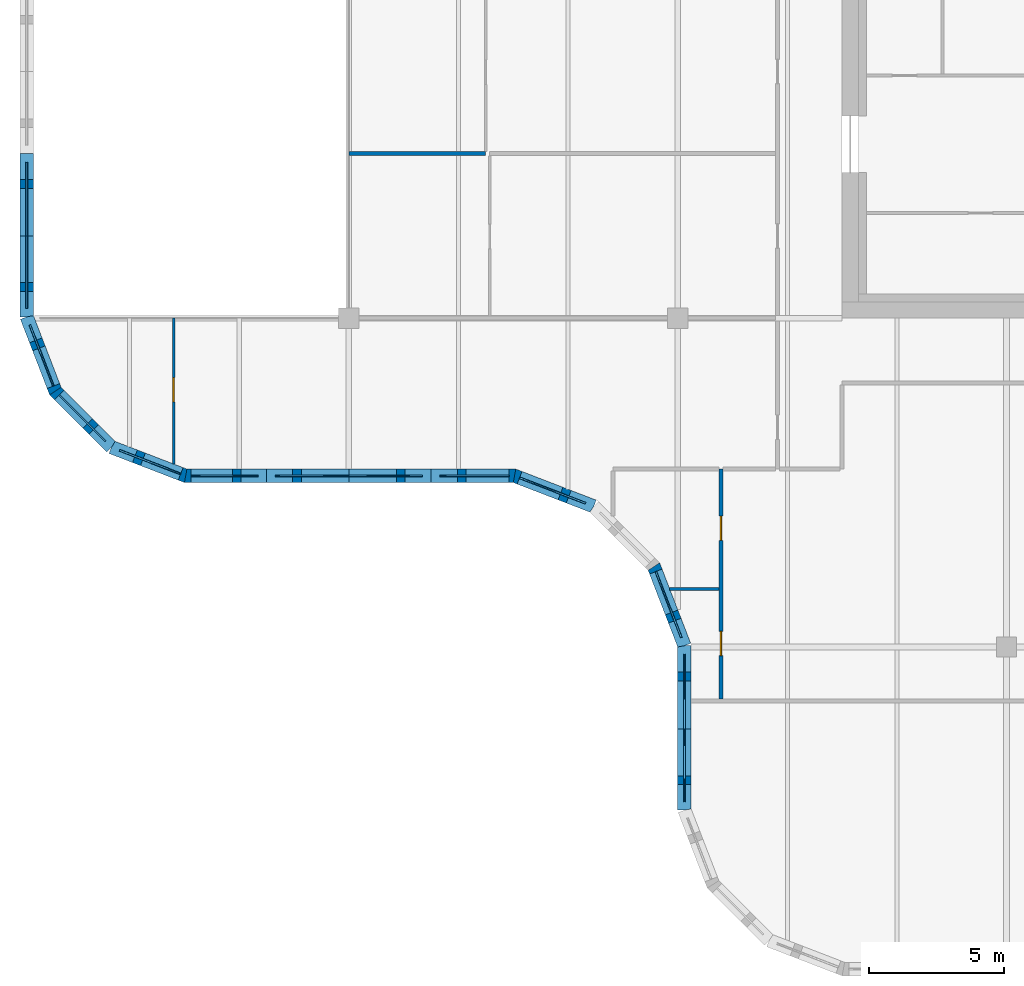
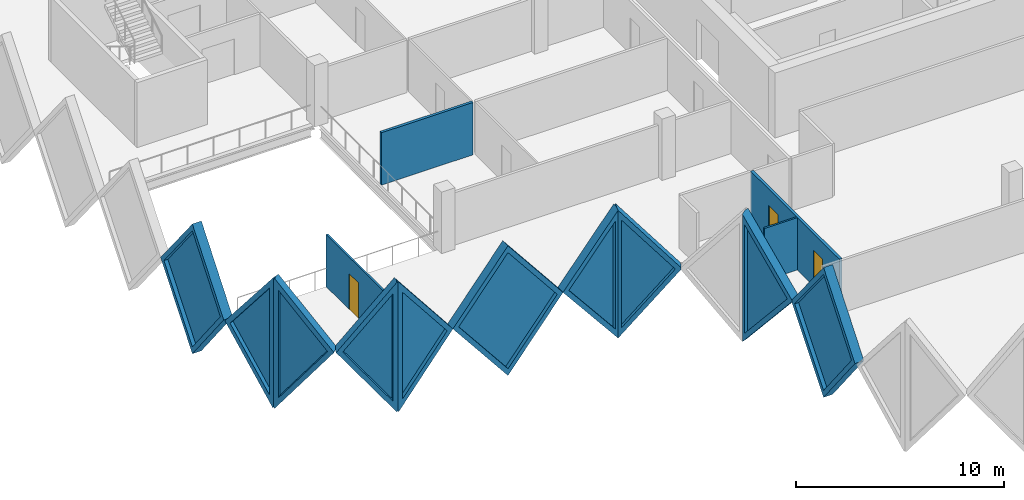
# One storey, part 3 of 12: 14 walls, 10 plates, 3 doors, 13 openings.
"""IFC4 building model written with IfcOpenShell, lengths in metres."""

from ifc_helpers import new_model, si_unit, direction, frame, frame_2d, origin, place, context, subcontext, project, spatial, polyline, rectangle, outline, extrude, faceted_brep, source, transform, mapped, material, layer, layer_set, type_object, element, fill, save


model = new_model("IFC4")

# Units and contexts
model_context = context("Model", 3, precision=1e-05, world=origin(), true_north=direction((0.0, 1.0)))
body_context = subcontext(model_context, "Body", "Model", "MODEL_VIEW")
ifc_project = project(units=[si_unit("LENGTHUNIT", "METRE"), si_unit("AREAUNIT", "SQUARE_METRE"), si_unit("VOLUMEUNIT", "CUBIC_METRE"), si_unit("PLANEANGLEUNIT", "RADIAN"), si_unit("MASSUNIT", "GRAM", prefix="KILO")], contexts=[model_context])

# Site, building, storey
site_placement = place(None, origin())
site = spatial("IfcSite", under=ifc_project, at=site_placement, CompositionType="ELEMENT")
building_placement = place(site_placement, origin())
building = spatial("IfcBuilding", under=site, at=building_placement, Name="Tessera Gate Towers", CompositionType="ELEMENT")
storey_placement = place(building_placement, frame((0.0, 0.0, 185.800048828125)))
storey = spatial("IfcBuildingStorey", under=building, at=storey_placement, Name="L46", CompositionType="ELEMENT", Elevation=185.800048828125)

# Wall, opening, door
ifc_material_1 = material(Name="Glass", Category="glass")
ifc_layer_1 = layer(ifc_material_1, 0.10009765625)
ifc_layer_set_1 = layer_set([ifc_layer_1], Name="GLAZED PARTITION 100")
wall_type_1 = type_object("IfcWallType", Name="GLAZED PARTITION 100", PredefinedType="PARTITIONING", material=ifc_layer_set_1)
wall_1_placement = place(storey_placement, frame((5.699951171875, 18.990234375, 0.0), z_axis=(0.0, 0.0, 1.0), x_axis=(0.0, 1.0, 0.0)))
wall_1 = element("IfcWall", 1, at=wall_1_placement, inside=storey, type_object=wall_type_1, Name="T1-L46-PW-022", PredefinedType="PARTITIONING", context=body_context, shape_type="SweptSolid", body=[
    extrude(rectangle(XDim=5.40966796875, YDim=0.10009765625, at=frame_2d((2.704833984375, 0.0))), origin(), (0.0, 0.0, 1.0), 3.06689453125),
])
shared_shape_1 = source(origin(), body_context, "Body", "SweptSolid", [
    extrude(rectangle(XDim=0.89990234375, YDim=2.10009765625, at=frame_2d((0.449951171875, 1.050048828125))), frame((0.0, 0.06005859375, 0.0), z_axis=(0.0, -1.0, 0.0), x_axis=(1.0, 0.0, 0.0)), (0.0, 0.0, 1.0), 0.1201171875),
])
opening_1_placement = place(wall_1_placement, frame((2.300048828125, 0.0, 0.0)))
opening_1 = element("IfcOpeningElement", 2, at=opening_1_placement, cuts=wall_1, Name="Opening D690-A17-04", PredefinedType="OPENING", context=body_context, shape_type="MappedRepresentation", body=[
    mapped(shared_shape_1, transform((0.0, 0.0, 0.0), scale=1.0)),
])
ifc_material_2 = material(Name="Glass in aluminium frame", Category="aluminium")
door_type_1 = type_object("IfcDoorType", Name="GLAZED DOOR 900 NOT RATED", OperationType="NOTDEFINED", PredefinedType="DOOR", material=ifc_material_2)
shared_shape_2 = source(origin(), body_context, "Body", "SweptSolid", [
    extrude(rectangle(XDim=0.89990234375, YDim=2.10009765625, at=frame_2d((0.449951171875, 1.050048828125))), frame((0.0, 0.02490234375, 0.0), z_axis=(0.0, -1.0, 0.0), x_axis=(1.0, 0.0, 0.0)), (0.0, 0.0, 1.0), 0.050048828125),
])
door_1_placement = place(opening_1_placement, origin())
door_1 = element("IfcDoor", 3, at=door_1_placement, inside=storey, type_object=door_type_1, Name="T1-L46-PD-010", OperationType="SINGLE_SWING_LEFT", OverallHeight=2.10009765625, OverallWidth=0.89990234375, PredefinedType="DOOR", context=body_context, shape_type="MappedRepresentation", body=[
    mapped(shared_shape_2, transform((0.0, 0.0, 0.0), scale=1.0)),
])
fill(opening_1, door_1)

# Wall
ifc_material_3 = material(Name="Gypsum board on steel studs", Category="steel")
ifc_layer_2 = layer(ifc_material_3, 0.10009765625)
ifc_layer_set_2 = layer_set([ifc_layer_2], Name="PARTITION 100")
wall_type_2 = type_object("IfcWallType", Name="PARTITION 100", PredefinedType="PARTITIONING", material=ifc_layer_set_2)
wall_2_placement = place(storey_placement, frame((24.104736328125, 14.35498046875, 0.0), z_axis=(0.0, 0.0, 1.0), x_axis=(1.0, 0.0, 0.0)))
element("IfcWall", 4, at=wall_2_placement, inside=storey, type_object=wall_type_2, Name="T1-L46-PW-011", PredefinedType="PARTITIONING", context=body_context, shape_type="SweptSolid", body=[
    extrude(rectangle(XDim=1.8193359375, YDim=0.10009765625, at=frame_2d((0.90966796875, 0.0))), origin(), (0.0, 0.0, 1.0), 3.06689453125),
])

# Wall, openings, doors
ifc_material_4 = material(Name="Gypsum board on steel studs, mineral wool", Category="steel")
ifc_layer_3 = layer(ifc_material_4, 0.14990234375)
ifc_layer_set_3 = layer_set([ifc_layer_3], Name="TENANCY WALL 150")
wall_type_3 = type_object("IfcWallType", Name="TENANCY WALL 150", PredefinedType="PARTITIONING", material=ifc_layer_set_3)
wall_3_placement = place(storey_placement, frame((26.0, 10.27587890625, 0.0), z_axis=(0.0, 0.0, 1.0), x_axis=(0.0, 1.0, 0.0)))
wall_3 = element("IfcWall", 5, at=wall_3_placement, inside=storey, type_object=wall_type_3, Name="T1-L46-PW-007", PredefinedType="PARTITIONING", context=body_context, shape_type="SweptSolid", body=[
    extrude(rectangle(XDim=8.524169921875, YDim=0.14990234375, at=frame_2d((4.26220703125, 0.0))), origin(), (0.0, 0.0, 1.0), 3.06689453125),
])
shared_shape_3 = source(origin(), body_context, "Body", "SweptSolid", [
    extrude(rectangle(XDim=0.89990234375, YDim=2.10009765625, at=frame_2d((0.449951171875, 1.050048828125))), frame((0.0, 0.0849609375, 0.0), z_axis=(0.0, -1.0, 0.0), x_axis=(1.0, 0.0, 0.0)), (0.0, 0.0, 1.0), 0.169921875),
])
opening_2_placement = place(wall_3_placement, frame((1.60009765625, 0.0, 0.0)))
opening_2 = element("IfcOpeningElement", 6, at=opening_2_placement, cuts=wall_3, Name="Opening D190-A17-01", PredefinedType="OPENING", context=body_context, shape_type="MappedRepresentation", body=[
    mapped(shared_shape_3, transform((0.0, 0.0, 0.0), scale=1.0)),
])
opening_3_placement = place(wall_3_placement, frame((5.878662109375, 0.0, 0.0)))
opening_3 = element("IfcOpeningElement", 7, at=opening_3_placement, cuts=wall_3, Name="Opening D190-A17-02", PredefinedType="OPENING", context=body_context, shape_type="MappedRepresentation", body=[
    mapped(shared_shape_3, transform((0.0, 0.0, 0.0), scale=1.0)),
])
ifc_material_5 = material(Name="Timber door leaf in steel frame", Category="steel")
door_type_2 = type_object("IfcDoorType", Name="INTERNAL DOOR 900 NOT RATED", OperationType="NOTDEFINED", PredefinedType="DOOR", material=ifc_material_5)
door_2_placement = place(opening_2_placement, origin())
door_2 = element("IfcDoor", 8, at=door_2_placement, inside=storey, type_object=door_type_2, Name="T1-L46-PD-002", OperationType="SINGLE_SWING_LEFT", OverallHeight=2.10009765625, OverallWidth=0.89990234375, PredefinedType="DOOR", context=body_context, shape_type="MappedRepresentation", body=[
    mapped(shared_shape_2, transform((0.0, 0.0, 0.0), scale=1.0)),
])
fill(opening_2, door_2)
door_3_placement = place(opening_3_placement, origin())
door_3 = element("IfcDoor", 9, at=door_3_placement, inside=storey, type_object=door_type_2, Name="T1-L46-PD-004", OperationType="SINGLE_SWING_LEFT", OverallHeight=2.10009765625, OverallWidth=0.89990234375, PredefinedType="DOOR", context=body_context, shape_type="MappedRepresentation", body=[
    mapped(shared_shape_2, transform((0.0, 0.0, 0.0), scale=1.0)),
])
fill(opening_3, door_3)

# Wall
wall_4_placement = place(storey_placement, frame((12.199951171875, 30.5, 0.0), z_axis=(0.0, 0.0, 1.0), x_axis=(1.0, 0.0, 0.0)))
element("IfcWall", 10, at=wall_4_placement, inside=storey, type_object=wall_type_3, Name="T1-L46-PW-031", PredefinedType="PARTITIONING", context=body_context, shape_type="SweptSolid", body=[
    extrude(rectangle(XDim=5.074951171875, YDim=0.14990234375, at=frame_2d((2.53759765625, 0.0))), origin(), (0.0, 0.0, 1.0), 3.06689453125),
])

# Wall, opening, plate
ifc_material_6 = material(Name="Precast concrete C60/75 white", Category="concrete")
ifc_layer_4 = layer(ifc_material_6, 0.5)
ifc_layer_set_4 = layer_set([ifc_layer_4], Name="TS1 tessera")
wall_type_4 = type_object("IfcWallType", Name="TS1 tessera", PredefinedType="SOLIDWALL", material=ifc_layer_set_4)
shared_shape_4 = source(origin(), body_context, "Body", "SweptSolid", [
    extrude(outline(polyline([(3.050048828125, 0.0), (6.10009765625, 3.800048828125), (3.050048828125, 7.60009765625), (0.0, 3.800048828125), (3.050048828125, 0.0)])), frame((0.0, 0.25, 0.0), z_axis=(0.0, -1.0, 0.0), x_axis=(1.0, 0.0, 0.0)), (0.0, 0.0, 1.0), 0.5),
])
wall_5_placement = place(storey_placement, frame((9.14990234375, 18.550048828125, -3.800048828125), z_axis=(0.0, 0.0, 1.0), x_axis=(1.0, 0.0, 0.0)))
wall_5 = element("IfcWall", 11, at=wall_5_placement, inside=storey, type_object=wall_type_4, Name="Precast tessera T1 TS1-0826", PredefinedType="SOLIDWALL", context=body_context, shape_type="MappedRepresentation", body=[
    mapped(shared_shape_4, transform((0.0, 0.0, 0.0), scale=1.0)),
])
shared_shape_5 = source(origin(), body_context, "Body", "SweptSolid", [
    extrude(outline(polyline([(3.050048828125, 0.3994140625), (5.779541015625, 3.800048828125), (3.050048828125, 7.20068359375), (0.320556640625, 3.800048828125), (3.050048828125, 0.3994140625)])), frame((0.0, 0.260009765625, 0.0), z_axis=(0.0, -1.0, 0.0), x_axis=(1.0, 0.0, 0.0)), (0.0, 0.0, 1.0), 0.52001953125),
])
opening_4_placement = place(wall_5_placement, origin())
opening_4 = element("IfcOpeningElement", 12, at=opening_4_placement, cuts=wall_5, Name="Opening T1-PL2-1684", PredefinedType="OPENING", context=body_context, shape_type="MappedRepresentation", body=[
    mapped(shared_shape_5, transform((0.0, 0.0, 0.0), scale=1.0)),
])
ifc_material_7 = material(Name="Low-e laminated glass", Category="glass")
ifc_layer_5 = layer(ifc_material_7, 0.06005859375)
ifc_layer_set_5 = layer_set([ifc_layer_5], Name="PL2 rhombic pane")
plate_type = type_object("IfcPlateType", Name="PL2 rhombic pane", PredefinedType="SHEET", material=ifc_layer_set_5)
shared_shape_6 = source(origin(), body_context, "Body", "SweptSolid", [
    extrude(outline(polyline([(3.050048828125, 0.3994140625), (5.779541015625, 3.800048828125), (3.050048828125, 7.20068359375), (0.320556640625, 3.800048828125), (3.050048828125, 0.3994140625)])), frame((0.0, 0.030029296875, 0.0), z_axis=(0.0, -1.0, 0.0), x_axis=(1.0, 0.0, 0.0)), (0.0, 0.0, 1.0), 0.06005859375),
])
plate_1_placement = place(opening_4_placement, origin())
plate_1 = element("IfcPlate", 13, at=plate_1_placement, inside=storey, type_object=plate_type, Name="Glass pane T1 PL2-1684", PredefinedType="SHEET", context=body_context, shape_type="MappedRepresentation", body=[
    mapped(shared_shape_6, transform((0.0, 0.0, 0.0), scale=1.0)),
])
fill(opening_4, plate_1)

shared_shape_7 = source(origin(), body_context, "Body", "Brep", [
    faceted_brep([(3.050048828125, -0.25, 0.0), (6.053466796875, -0.25, 3.800048828125), (3.050048828125, -0.25, 7.60009765625), (0.0, -0.25, 3.800048828125), (0.0, 0.25, 3.800048828125), (3.050048828125, 0.25, 7.60009765625), (6.0068359375, 0.25, 3.85888671875), (6.0068359375, 0.25, 3.7412109375), (3.050048828125, 0.25, 0.0), (6.053466796875, 0.0, 3.800048828125)], [[[0, 1, 2, 3]], [[4, 5, 6, 7, 8]], [[8, 7, 9, 1, 0]], [[6, 5, 2, 1, 9]], [[5, 4, 3, 2]], [[4, 8, 0, 3]], [[9, 7, 6]]]),
])
wall_6_placement = place(storey_placement, frame((0.25, 30.5, -3.800048828125), z_axis=(0.0, 0.0, 1.0), x_axis=(0.0, -1.0, 0.0)))
wall_6 = element("IfcWall", 14, at=wall_6_placement, inside=storey, type_object=wall_type_4, Name="Precast tessera T1 TS1-0825", PredefinedType="SOLIDWALL", context=body_context, shape_type="MappedRepresentation", body=[
    mapped(shared_shape_7, transform((0.0, 0.0, 0.0), scale=1.0)),
])
shared_shape_8 = source(origin(), body_context, "Body", "SweptSolid", [
    extrude(outline(polyline([(3.048583984375, 0.4013671875), (5.73486328125, 3.800048828125), (3.048583984375, 7.19873046875), (0.320556640625, 3.800048828125), (3.048583984375, 0.4013671875)])), frame((0.0, 0.260009765625, 0.0), z_axis=(0.0, -1.0, 0.0), x_axis=(1.0, 0.0, 0.0)), (0.0, 0.0, 1.0), 0.52001953125),
])
opening_5_placement = place(wall_6_placement, origin())
opening_5 = element("IfcOpeningElement", 15, at=opening_5_placement, cuts=wall_6, Name="Opening T1-PL2-1679", PredefinedType="OPENING", context=body_context, shape_type="MappedRepresentation", body=[
    mapped(shared_shape_8, transform((0.0, 0.0, 0.0), scale=1.0)),
])
shared_shape_9 = source(origin(), body_context, "Body", "SweptSolid", [
    extrude(outline(polyline([(3.048583984375, 0.4013671875), (5.73486328125, 3.800048828125), (3.048583984375, 7.19873046875), (0.320556640625, 3.800048828125), (3.048583984375, 0.4013671875)])), frame((0.0, 0.030029296875, 0.0), z_axis=(0.0, -1.0, 0.0), x_axis=(1.0, 0.0, 0.0)), (0.0, 0.0, 1.0), 0.06005859375),
])
plate_2_placement = place(opening_5_placement, origin())
plate_2 = element("IfcPlate", 16, at=plate_2_placement, inside=storey, type_object=plate_type, Name="Glass pane T1 PL2-1679", PredefinedType="SHEET", context=body_context, shape_type="MappedRepresentation", body=[
    mapped(shared_shape_9, transform((0.0, 0.0, 0.0), scale=1.0)),
])
fill(opening_5, plate_2)

ifc_material_8 = material(Name="Precast concrete C60/75 white", Category="concrete")
ifc_layer_6 = layer(ifc_material_8, 0.5)
ifc_layer_set_6 = layer_set([ifc_layer_6], Name="TS3 corner tessera")
wall_type_5 = type_object("IfcWallType", Name="TS3 corner tessera", PredefinedType="SOLIDWALL", material=ifc_layer_set_6)
shared_shape_10 = source(origin(), body_context, "Body", "Brep", [
    faceted_brep([(0.052978515625, -0.25, 0.0), (2.9970703125, -0.25, 3.800048828125), (0.052978515625, -0.25, 7.60009765625), (0.0, -0.25, 7.531982421875), (0.0, -0.25, 0.068115234375), (0.10595703125, 0.25, 7.53173828125), (2.944091796875, 0.25, 3.8681640625), (2.944091796875, 0.25, 3.73193359375), (0.10595703125, 0.25, 0.068359375), (2.9970703125, 0.000244140625, 3.800048828125), (0.052978515625, 0.0, 0.0), (0.052978515625, 0.0, 7.60009765625)], [[[0, 1, 2, 3, 4]], [[5, 6, 7, 8]], [[8, 7, 9, 1, 0, 10]], [[6, 5, 11, 2, 1, 9]], [[3, 2, 11]], [[10, 0, 4]], [[8, 10, 4, 3, 11, 5]], [[9, 7, 6]]]),
])
wall_7_placement = place(storey_placement, frame((1.2744140625, 21.731201171875, -3.800048828125), z_axis=(0.0, 0.0, 1.0), x_axis=(0.707147509625, -0.707066050402, 0.0)))
wall_7 = element("IfcWall", 17, at=wall_7_placement, inside=storey, type_object=wall_type_5, Name="Precast corner tessera T1 TS3-1072", PredefinedType="SOLIDWALL", context=body_context, shape_type="MappedRepresentation", body=[
    mapped(shared_shape_10, transform((0.0, 0.0, 0.0), scale=1.0)),
])
shared_shape_11 = source(origin(), body_context, "Body", "SweptSolid", [
    extrude(outline(polyline([(0.2529296875, 0.666259765625), (2.680908203125, 3.800048828125), (0.2529296875, 6.93359375), (0.2529296875, 0.666259765625)])), frame((0.0, 0.260009765625, 0.0), z_axis=(0.0, -1.0, 0.0), x_axis=(1.0, 0.0, 0.0)), (0.0, 0.0, 1.0), 0.52001953125),
])
opening_6_placement = place(wall_7_placement, origin())
opening_6 = element("IfcOpeningElement", 18, at=opening_6_placement, cuts=wall_7, Name="Opening T1-PL2-1681", PredefinedType="OPENING", context=body_context, shape_type="MappedRepresentation", body=[
    mapped(shared_shape_11, transform((0.0, 0.0, 0.0), scale=1.0)),
])
shared_shape_12 = source(origin(), body_context, "Body", "SweptSolid", [
    extrude(outline(polyline([(0.2529296875, 0.666259765625), (2.680908203125, 3.800048828125), (0.2529296875, 6.93359375), (0.2529296875, 0.666259765625)])), frame((0.0, 0.030029296875, 0.0), z_axis=(0.0, -1.0, 0.0), x_axis=(1.0, 0.0, 0.0)), (0.0, 0.0, 1.0), 0.06005859375),
])
plate_3_placement = place(opening_6_placement, origin())
plate_3 = element("IfcPlate", 19, at=plate_3_placement, inside=storey, type_object=plate_type, Name="Glass pane T1 PL2-1681", PredefinedType="SHEET", context=body_context, shape_type="MappedRepresentation", body=[
    mapped(shared_shape_12, transform((0.0, 0.0, 0.0), scale=1.0)),
])
fill(opening_6, plate_3)

shared_shape_13 = source(origin(), body_context, "Body", "Brep", [
    faceted_brep([(2.950439453125, -0.25, 0.0), (2.9970703125, -0.25, 0.05908203125), (2.9970703125, -0.25, 7.541015625), (2.950439453125, -0.25, 7.60009765625), (0.0, -0.25, 3.800048828125), (0.052978515625, 0.25, 3.8681640625), (2.904052734375, 0.25, 7.540283203125), (2.904052734375, 0.25, 0.059814453125), (0.052978515625, 0.25, 3.73193359375), (2.950439453125, 0.00048828125, 0.0), (2.950439453125, 0.00048828125, 7.60009765625), (0.0, 0.0, 3.800048828125)], [[[0, 1, 2, 3, 4]], [[5, 6, 7, 8]], [[1, 0, 9]], [[10, 3, 2]], [[6, 5, 11, 4, 3, 10]], [[8, 7, 9, 0, 4, 11]], [[8, 11, 5]], [[1, 9, 7, 6, 10, 2]]]),
])
wall_8_placement = place(storey_placement, frame((3.393798828125, 19.61181640625, -3.800048828125), z_axis=(0.0, 0.0, 1.0), x_axis=(0.932990326376, -0.359901446078, 0.0)))
wall_8 = element("IfcWall", 20, at=wall_8_placement, inside=storey, type_object=wall_type_5, Name="Precast corner tessera T1 TS3-1073", PredefinedType="SOLIDWALL", context=body_context, shape_type="MappedRepresentation", body=[
    mapped(shared_shape_13, transform((0.0, 0.0, 0.0), scale=1.0)),
])
shared_shape_14 = source(origin(), body_context, "Body", "SweptSolid", [
    extrude(outline(polyline([(2.75048828125, 6.934814453125), (0.31640625, 3.800048828125), (2.75048828125, 0.665283203125), (2.75048828125, 6.934814453125)])), frame((0.0, 0.260009765625, 0.0), z_axis=(0.0, -1.0, 0.0), x_axis=(1.0, 0.0, 0.0)), (0.0, 0.0, 1.0), 0.52001953125),
])
opening_7_placement = place(wall_8_placement, origin())
opening_7 = element("IfcOpeningElement", 21, at=opening_7_placement, cuts=wall_8, Name="Opening T1-PL2-1682", PredefinedType="OPENING", context=body_context, shape_type="MappedRepresentation", body=[
    mapped(shared_shape_14, transform((0.0, 0.0, 0.0), scale=1.0)),
])
shared_shape_15 = source(origin(), body_context, "Body", "SweptSolid", [
    extrude(outline(polyline([(2.75048828125, 6.934814453125), (0.31640625, 3.800048828125), (2.75048828125, 0.665283203125), (2.75048828125, 6.934814453125)])), frame((0.0, 0.030029296875, 0.0), z_axis=(0.0, -1.0, 0.0), x_axis=(1.0, 0.0, 0.0)), (0.0, 0.0, 1.0), 0.06005859375),
])
plate_4_placement = place(opening_7_placement, origin())
plate_4 = element("IfcPlate", 22, at=plate_4_placement, inside=storey, type_object=plate_type, Name="Glass pane T1 PL2-1682", PredefinedType="SHEET", context=body_context, shape_type="MappedRepresentation", body=[
    mapped(shared_shape_15, transform((0.0, 0.0, 0.0), scale=1.0)),
])
fill(opening_7, plate_4)

shared_shape_16 = source(origin(), body_context, "Body", "Brep", [
    faceted_brep([(0.046630859375, -0.25, 0.0), (3.050048828125, -0.25, 3.800048828125), (0.046630859375, -0.25, 7.60009765625), (0.0, -0.25, 7.5400390625), (0.0, -0.25, 0.06005859375), (0.09326171875, 0.25, 7.541259765625), (3.050048828125, 0.25, 3.800048828125), (0.09326171875, 0.25, 0.058837890625), (0.046630859375, 0.0, 0.0), (0.046630859375, 0.0, 7.60009765625)], [[[0, 1, 2, 3, 4]], [[5, 6, 7]], [[7, 6, 1, 0, 8]], [[6, 5, 9, 2, 1]], [[3, 2, 9]], [[8, 0, 4]], [[7, 8, 4, 3, 9, 5]]]),
])
wall_9_placement = place(storey_placement, frame((6.099853515625, 18.550048828125, -3.800048828125), z_axis=(0.0, 0.0, 1.0), x_axis=(1.0, 0.0, 0.0)))
wall_9 = element("IfcWall", 23, at=wall_9_placement, inside=storey, type_object=wall_type_5, Name="Precast corner tessera T1 TS3-1074", PredefinedType="SOLIDWALL", context=body_context, shape_type="MappedRepresentation", body=[
    mapped(shared_shape_16, transform((0.0, 0.0, 0.0), scale=1.0)),
])
shared_shape_17 = source(origin(), body_context, "Body", "SweptSolid", [
    extrude(outline(polyline([(0.24658203125, 0.65625), (2.7314453125, 3.800048828125), (0.24658203125, 6.94384765625), (0.24658203125, 0.65625)])), frame((0.0, 0.260009765625, 0.0), z_axis=(0.0, -1.0, 0.0), x_axis=(1.0, 0.0, 0.0)), (0.0, 0.0, 1.0), 0.52001953125),
])
opening_8_placement = place(wall_9_placement, origin())
opening_8 = element("IfcOpeningElement", 24, at=opening_8_placement, cuts=wall_9, Name="Opening T1-PL2-1683", PredefinedType="OPENING", context=body_context, shape_type="MappedRepresentation", body=[
    mapped(shared_shape_17, transform((0.0, 0.0, 0.0), scale=1.0)),
])
shared_shape_18 = source(origin(), body_context, "Body", "SweptSolid", [
    extrude(outline(polyline([(0.24658203125, 0.65625), (2.7314453125, 3.800048828125), (0.24658203125, 6.94384765625), (0.24658203125, 0.65625)])), frame((0.0, 0.030029296875, 0.0), z_axis=(0.0, -1.0, 0.0), x_axis=(1.0, 0.0, 0.0)), (0.0, 0.0, 1.0), 0.06005859375),
])
plate_5_placement = place(opening_8_placement, origin())
plate_5 = element("IfcPlate", 25, at=plate_5_placement, inside=storey, type_object=plate_type, Name="Glass pane T1 PL2-1683", PredefinedType="SHEET", context=body_context, shape_type="MappedRepresentation", body=[
    mapped(shared_shape_18, transform((0.0, 0.0, 0.0), scale=1.0)),
])
fill(opening_8, plate_5)

shared_shape_19 = source(origin(), body_context, "Body", "Brep", [
    faceted_brep([(2.950439453125, -0.25, 0.0), (3.00341796875, -0.25, 0.068359375), (3.00341796875, -0.25, 7.53173828125), (2.950439453125, -0.25, 7.60009765625), (0.0, -0.25, 3.800048828125), (0.046630859375, 0.25, 3.860107421875), (2.897705078125, 0.25, 7.531982421875), (2.897705078125, 0.25, 0.068115234375), (0.046630859375, 0.25, 3.739990234375), (2.950439453125, 0.00048828125, 0.0), (2.950439453125, 0.00048828125, 7.60009765625), (0.0, 0.0, 3.800048828125)], [[[0, 1, 2, 3, 4]], [[5, 6, 7, 8]], [[1, 0, 9]], [[10, 3, 2]], [[6, 5, 11, 4, 3, 10]], [[8, 7, 9, 0, 4, 11]], [[8, 11, 5]], [[1, 9, 7, 6, 10, 2]]]),
])
wall_10_placement = place(storey_placement, frame((0.25, 24.446533203125, -3.800048828125), z_axis=(0.0, 0.0, 1.0), x_axis=(0.35992665181, -0.932980602862, 0.0)))
wall_10 = element("IfcWall", 26, at=wall_10_placement, inside=storey, type_object=wall_type_5, Name="Precast corner tessera T1 TS3-1071", PredefinedType="SOLIDWALL", context=body_context, shape_type="MappedRepresentation", body=[
    mapped(shared_shape_19, transform((0.0, 0.0, 0.0), scale=1.0)),
])
opening_9_placement = place(wall_10_placement, origin())
opening_9 = element("IfcOpeningElement", 27, at=opening_9_placement, cuts=wall_10, Name="Opening T1-PL2-1680", PredefinedType="OPENING", context=body_context, shape_type="MappedRepresentation", body=[
    mapped(shared_shape_14, transform((0.0, 0.0, 0.0), scale=1.0)),
])
plate_6_placement = place(opening_9_placement, origin())
plate_6 = element("IfcPlate", 28, at=plate_6_placement, inside=storey, type_object=plate_type, Name="Glass pane T1 PL2-1680", PredefinedType="SHEET", context=body_context, shape_type="MappedRepresentation", body=[
    mapped(shared_shape_15, transform((0.0, 0.0, 0.0), scale=1.0)),
])
fill(opening_9, plate_6)

shared_shape_20 = source(origin(), body_context, "Body", "Brep", [
    faceted_brep([(3.050048828125, -0.25, 7.543212890625), (0.0, -0.25, 3.800048828125), (3.050048828125, -0.25, 0.056884765625), (0.0, 0.25, 3.800048828125), (3.096435546875, 0.25, 7.60009765625), (3.14306640625, 0.25, 7.543701171875), (3.14306640625, 0.25, 0.056396484375), (3.096435546875, 0.25, 0.0), (3.096435546875, -0.00048828125, 0.0), (3.096435546875, -0.00048828125, 7.60009765625)], [[[0, 1, 2]], [[3, 4, 5, 6, 7]], [[7, 6, 8]], [[5, 4, 9]], [[4, 3, 1, 0, 9]], [[3, 7, 8, 2, 1]], [[2, 8, 6, 5, 9, 0]]]),
])
wall_11_placement = place(storey_placement, frame((15.25, 18.550048828125, -3.800048828125), z_axis=(0.0, 0.0, 1.0), x_axis=(1.0, 0.0, 0.0)))
wall_11 = element("IfcWall", 29, at=wall_11_placement, inside=storey, type_object=wall_type_5, Name="Precast corner tessera T1 TS3-1075", PredefinedType="SOLIDWALL", context=body_context, shape_type="MappedRepresentation", body=[
    mapped(shared_shape_20, transform((0.0, 0.0, 0.0), scale=1.0)),
])
shared_shape_21 = source(origin(), body_context, "Body", "SweptSolid", [
    extrude(outline(polyline([(2.896484375, 6.958740234375), (0.322509765625, 3.800048828125), (2.896484375, 0.64111328125), (2.896484375, 6.958740234375)])), frame((0.0, 0.260009765625, 0.0), z_axis=(0.0, -1.0, 0.0), x_axis=(1.0, 0.0, 0.0)), (0.0, 0.0, 1.0), 0.52001953125),
])
opening_10_placement = place(wall_11_placement, origin())
opening_10 = element("IfcOpeningElement", 30, at=opening_10_placement, cuts=wall_11, Name="Opening T1-PL2-1685", PredefinedType="OPENING", context=body_context, shape_type="MappedRepresentation", body=[
    mapped(shared_shape_21, transform((0.0, 0.0, 0.0), scale=1.0)),
])
shared_shape_22 = source(origin(), body_context, "Body", "SweptSolid", [
    extrude(outline(polyline([(2.896484375, 6.958740234375), (0.322509765625, 3.800048828125), (2.896484375, 0.64111328125), (2.896484375, 6.958740234375)])), frame((0.0, 0.030029296875, 0.0), z_axis=(0.0, -1.0, 0.0), x_axis=(1.0, 0.0, 0.0)), (0.0, 0.0, 1.0), 0.06005859375),
])
plate_7_placement = place(opening_10_placement, origin())
plate_7 = element("IfcPlate", 31, at=plate_7_placement, inside=storey, type_object=plate_type, Name="Glass pane T1 PL2-1685", PredefinedType="SHEET", context=body_context, shape_type="MappedRepresentation", body=[
    mapped(shared_shape_22, transform((0.0, 0.0, 0.0), scale=1.0)),
])
fill(opening_10, plate_7)

shared_shape_23 = source(origin(), body_context, "Body", "Brep", [
    faceted_brep([(0.09326171875, -0.25, 0.05615234375), (3.14306640625, -0.25, 3.736328125), (3.14306640625, -0.25, 3.86376953125), (0.09326171875, -0.25, 7.5439453125), (0.0, 0.25, 7.54296875), (0.046630859375, 0.25, 7.60009765625), (3.196044921875, 0.25, 3.800048828125), (0.046630859375, 0.25, 0.0), (0.0, 0.25, 0.05712890625), (3.196044921875, -0.000244140625, 3.800048828125), (0.046630859375, 0.0, 0.0), (0.046630859375, 0.0, 7.60009765625)], [[[0, 1, 2, 3]], [[4, 5, 6, 7, 8]], [[7, 6, 9, 1, 0, 10]], [[6, 5, 11, 3, 2, 9]], [[5, 4, 11]], [[8, 7, 10]], [[8, 10, 0, 3, 11, 4]], [[1, 9, 2]]]),
])
wall_12_placement = place(storey_placement, frame((18.302978515625, 18.56689453125, -3.800048828125), z_axis=(0.0, 0.0, 1.0), x_axis=(0.932978940178, -0.359930961693, 0.0)))
wall_12 = element("IfcWall", 32, at=wall_12_placement, inside=storey, type_object=wall_type_5, Name="Precast corner tessera T1 TS3-1076", PredefinedType="SOLIDWALL", context=body_context, shape_type="MappedRepresentation", body=[
    mapped(shared_shape_23, transform((0.0, 0.0, 0.0), scale=1.0)),
])
shared_shape_24 = source(origin(), body_context, "Body", "SweptSolid", [
    extrude(outline(polyline([(0.24658203125, 0.633056640625), (2.871337890625, 3.800048828125), (0.24658203125, 6.966796875), (0.24658203125, 0.633056640625)])), frame((0.0, 0.260009765625, 0.0), z_axis=(0.0, -1.0, 0.0), x_axis=(1.0, 0.0, 0.0)), (0.0, 0.0, 1.0), 0.52001953125),
])
opening_11_placement = place(wall_12_placement, origin())
opening_11 = element("IfcOpeningElement", 33, at=opening_11_placement, cuts=wall_12, Name="Opening T1-PL2-1686", PredefinedType="OPENING", context=body_context, shape_type="MappedRepresentation", body=[
    mapped(shared_shape_24, transform((0.0, 0.0, 0.0), scale=1.0)),
])
shared_shape_25 = source(origin(), body_context, "Body", "SweptSolid", [
    extrude(outline(polyline([(0.24658203125, 0.633056640625), (2.871337890625, 3.800048828125), (0.24658203125, 6.966796875), (0.24658203125, 0.633056640625)])), frame((0.0, 0.030029296875, 0.0), z_axis=(0.0, -1.0, 0.0), x_axis=(1.0, 0.0, 0.0)), (0.0, 0.0, 1.0), 0.06005859375),
])
plate_8_placement = place(opening_11_placement, origin())
plate_8 = element("IfcPlate", 34, at=plate_8_placement, inside=storey, type_object=plate_type, Name="Glass pane T1 PL2-1686", PredefinedType="SHEET", context=body_context, shape_type="MappedRepresentation", body=[
    mapped(shared_shape_25, transform((0.0, 0.0, 0.0), scale=1.0)),
])
fill(opening_11, plate_8)

shared_shape_26 = source(origin(), body_context, "Body", "Brep", [
    faceted_brep([(0.10595703125, -0.25, 0.06396484375), (3.156005859375, -0.25, 3.743896484375), (3.156005859375, -0.25, 3.856201171875), (0.10595703125, -0.25, 7.5361328125), (0.0, 0.25, 7.536376953125), (0.052978515625, 0.25, 7.60009765625), (3.202392578125, 0.25, 3.800048828125), (0.052978515625, 0.25, 0.0), (0.0, 0.25, 0.063720703125), (3.202392578125, -0.000244140625, 3.800048828125), (0.052978515625, 0.0, 0.0), (0.052978515625, 0.0, 7.60009765625)], [[[0, 1, 2, 3]], [[4, 5, 6, 7, 8]], [[7, 6, 9, 1, 0, 10]], [[6, 5, 11, 3, 2, 9]], [[5, 4, 11]], [[8, 7, 10]], [[8, 10, 0, 3, 11, 4]], [[1, 9, 2]]]),
])
wall_13_placement = place(storey_placement, frame((23.497314453125, 15.234375, -3.800048828125), z_axis=(0.0, 0.0, 1.0), x_axis=(0.359913782069, -0.932985567668, 0.0)))
wall_13 = element("IfcWall", 35, at=wall_13_placement, inside=storey, type_object=wall_type_5, Name="Precast corner tessera T1 TS3-1078", PredefinedType="SOLIDWALL", context=body_context, shape_type="MappedRepresentation", body=[
    mapped(shared_shape_26, transform((0.0, 0.0, 0.0), scale=1.0)),
])
shared_shape_27 = source(origin(), body_context, "Body", "SweptSolid", [
    extrude(outline(polyline([(0.2529296875, 0.633056640625), (2.877685546875, 3.800048828125), (0.2529296875, 6.966796875), (0.2529296875, 0.633056640625)])), frame((0.0, 0.260009765625, 0.0), z_axis=(0.0, -1.0, 0.0), x_axis=(1.0, 0.0, 0.0)), (0.0, 0.0, 1.0), 0.52001953125),
])
opening_12_placement = place(wall_13_placement, origin())
opening_12 = element("IfcOpeningElement", 36, at=opening_12_placement, cuts=wall_13, Name="Opening T1-PL2-1688", PredefinedType="OPENING", context=body_context, shape_type="MappedRepresentation", body=[
    mapped(shared_shape_27, transform((0.0, 0.0, 0.0), scale=1.0)),
])
shared_shape_28 = source(origin(), body_context, "Body", "SweptSolid", [
    extrude(outline(polyline([(0.2529296875, 0.633056640625), (2.877685546875, 3.800048828125), (0.2529296875, 6.966796875), (0.2529296875, 0.633056640625)])), frame((0.0, 0.030029296875, 0.0), z_axis=(0.0, -1.0, 0.0), x_axis=(1.0, 0.0, 0.0)), (0.0, 0.0, 1.0), 0.06005859375),
])
plate_9_placement = place(opening_12_placement, origin())
plate_9 = element("IfcPlate", 37, at=plate_9_placement, inside=storey, type_object=plate_type, Name="Glass pane T1 PL2-1688", PredefinedType="SHEET", context=body_context, shape_type="MappedRepresentation", body=[
    mapped(shared_shape_28, transform((0.0, 0.0, 0.0), scale=1.0)),
])
fill(opening_12, plate_9)

shared_shape_29 = source(origin(), body_context, "Body", "Brep", [
    faceted_brep([(3.096435546875, -0.25, 0.0), (6.10009765625, -0.25, 3.800048828125), (3.096435546875, -0.25, 7.60009765625), (0.046630859375, -0.25, 3.857177734375), (0.046630859375, -0.25, 3.742919921875), (0.0, 0.25, 3.800048828125), (3.096435546875, 0.25, 7.60009765625), (6.053466796875, 0.25, 3.859130859375), (6.053466796875, 0.25, 3.740966796875), (3.096435546875, 0.25, 0.0), (6.10009765625, -0.00048828125, 3.800048828125), (0.0, 0.0, 3.800048828125)], [[[0, 1, 2, 3, 4]], [[5, 6, 7, 8, 9]], [[9, 8, 10, 1, 0]], [[7, 6, 2, 1, 10]], [[6, 5, 11, 3, 2]], [[5, 9, 0, 4, 11]], [[11, 4, 3]], [[10, 8, 7]]]),
])
wall_14_placement = place(storey_placement, frame((24.64990234375, 12.24658203125, -3.800048828125), z_axis=(0.0, 0.0, 1.0), x_axis=(0.0, -1.0, 0.0)))
wall_14 = element("IfcWall", 38, at=wall_14_placement, inside=storey, type_object=wall_type_4, Name="Precast tessera T1 TS1-0827", PredefinedType="SOLIDWALL", context=body_context, shape_type="MappedRepresentation", body=[
    mapped(shared_shape_29, transform((0.0, 0.0, 0.0), scale=1.0)),
])
shared_shape_30 = source(origin(), body_context, "Body", "SweptSolid", [
    extrude(outline(polyline([(3.093505859375, 0.3994140625), (5.78125, 3.800048828125), (3.093505859375, 7.20068359375), (0.322509765625, 3.800048828125), (3.093505859375, 0.3994140625)])), frame((0.0, 0.260009765625, 0.0), z_axis=(0.0, -1.0, 0.0), x_axis=(1.0, 0.0, 0.0)), (0.0, 0.0, 1.0), 0.52001953125),
])
opening_13_placement = place(wall_14_placement, origin())
opening_13 = element("IfcOpeningElement", 39, at=opening_13_placement, cuts=wall_14, Name="Opening T1-PL2-1689", PredefinedType="OPENING", context=body_context, shape_type="MappedRepresentation", body=[
    mapped(shared_shape_30, transform((0.0, 0.0, 0.0), scale=1.0)),
])
shared_shape_31 = source(origin(), body_context, "Body", "SweptSolid", [
    extrude(outline(polyline([(3.093505859375, 0.3994140625), (5.78125, 3.800048828125), (3.093505859375, 7.20068359375), (0.322509765625, 3.800048828125), (3.093505859375, 0.3994140625)])), frame((0.0, 0.030029296875, 0.0), z_axis=(0.0, -1.0, 0.0), x_axis=(1.0, 0.0, 0.0)), (0.0, 0.0, 1.0), 0.06005859375),
])
plate_10_placement = place(opening_13_placement, origin())
plate_10 = element("IfcPlate", 40, at=plate_10_placement, inside=storey, type_object=plate_type, Name="Glass pane T1 PL2-1689", PredefinedType="SHEET", context=body_context, shape_type="MappedRepresentation", body=[
    mapped(shared_shape_31, transform((0.0, 0.0, 0.0), scale=1.0)),
])
fill(opening_13, plate_10)

save(model, "model.ifc")
